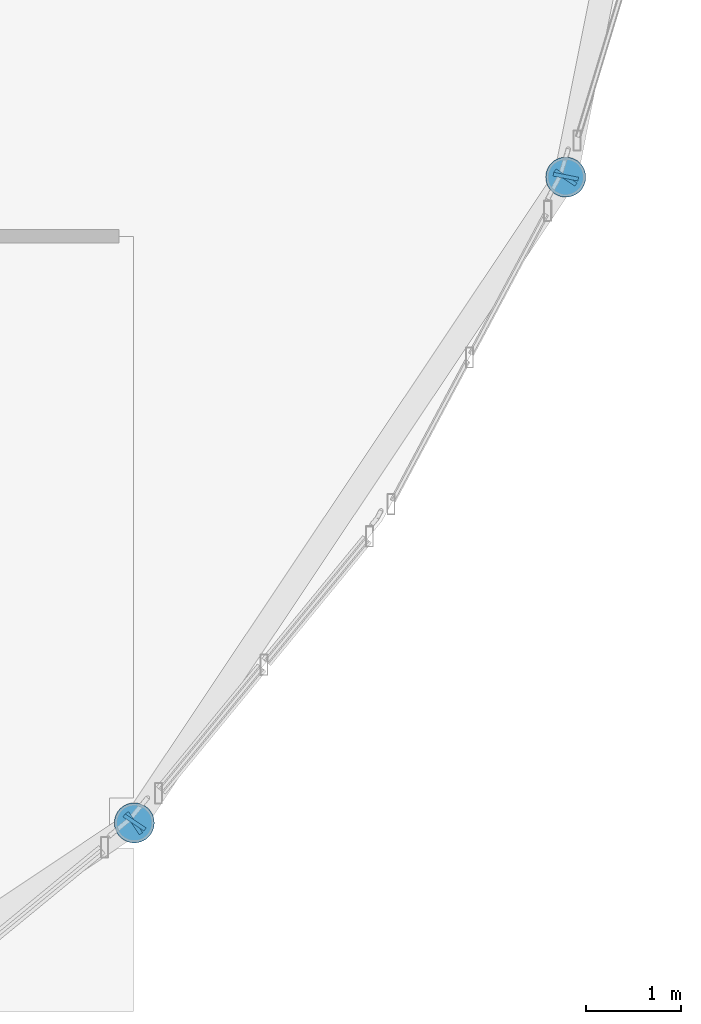
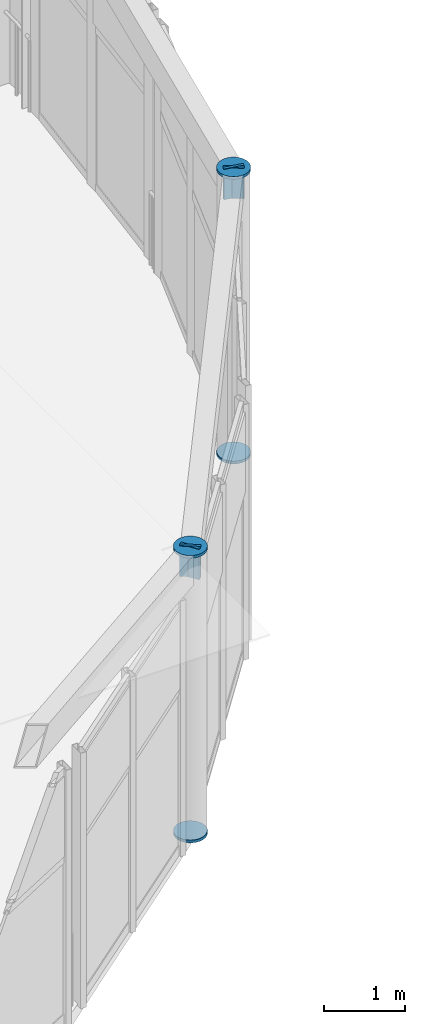
# One storey, part 67 of 105: 8 discrete accessories.
"""IFC4 building model written with IfcOpenShell, lengths in metres."""

from ifc_helpers import new_model, si_unit, direction, frame, origin, origin_2d, place, context, subcontext, project, spatial, rectangle, circle, extrude, material, element, save


model = new_model("IFC4")

# Units and contexts
model_context = context("Model", 3, precision=1e-05, world=origin(), true_north=direction((0.0, 1.0)))
body_context = subcontext(model_context, "Body", "Model", "MODEL_VIEW")
ifc_project = project(units=[si_unit("LENGTHUNIT", "METRE"), si_unit("AREAUNIT", "SQUARE_METRE"), si_unit("VOLUMEUNIT", "CUBIC_METRE"), si_unit("PLANEANGLEUNIT", "RADIAN"), si_unit("MASSUNIT", "GRAM", prefix="KILO")], contexts=[model_context])

# Site, building, storey
site_placement = place(None, origin())
site = spatial("IfcSite", under=ifc_project, at=site_placement, CompositionType="ELEMENT")
building_placement = place(site_placement, origin())
building = spatial("IfcBuilding", under=site, at=building_placement, Name="Marlcrest Central Station", CompositionType="ELEMENT")
storey_placement = place(building_placement, frame((0.0, 0.0, 15.0)))
storey = spatial("IfcBuildingStorey", under=building, at=storey_placement, Name="L03", CompositionType="ELEMENT", Elevation=15.0)

# Discrete accessories
ifc_material = material(Name="Steel S355", Category="steel")
for number, where, z_axis, x_axis, name in (
    (1, (122.84912109375, 7.65087890625, -0.014892578125), (0.0, 0.0, 1.0), (1.0, 0.0, 0.0), "endcap-col-SC-10-L03-0810-s"),
    (2, (122.84912109375, 7.65087890625, 4.28515625), (0.0, 0.0, 1.0), (1.0, 0.0, 0.0), "endcap-col-SC-10-L03-0810-e"),
    (3, (127.40087890625, 14.464111328125, -0.014892578125), (0.0, 0.0, 1.0), (1.0, 0.0, 0.0), "endcap-col-SC-10-L03-0814-s"),
    (4, (127.40087890625, 14.464111328125, 4.28515625), (0.0, 0.0, 1.0), (1.0, 0.0, 0.0), "endcap-col-SC-10-L03-0814-e"),
):
    element("IfcDiscreteAccessory", number, at=place(storey_placement, frame(where, z_axis=z_axis, x_axis=x_axis)), inside=storey, material=ifc_material, Name=name, ObjectType="END_CAP_PLATE", PredefinedType="BRACKET", context=body_context, shape_type="SweptSolid", body=[
        extrude(circle(Radius=0.211181640625, at=origin_2d()), origin(), (0.0, 0.0, 1.0), 0.0400390625),
    ])
for number, where, z_axis, x_axis, name in (
    (5, (122.828369140625, 7.636962890625, 4.10009765625), (0.831508991937, 0.55551129271, 0.0), (-0.55551129271, 0.831508991937, 0.0), "endcap-bm-SP-02-L03-01410-e"),
    (6, (122.8408203125, 7.638427734375, 4.10009765625), (0.55551129271, 0.831508991937, 0.0), (-0.831508991937, 0.55551129271, 0.0), "endcap-bm-SP-02-L03-01411-s"),
    (7, (127.386962890625, 14.443359375, 4.10009765625), (0.55551129271, 0.831508991937, 0.0), (-0.831508991937, 0.55551129271, 0.0), "endcap-bm-SP-02-L03-01411-e"),
    (8, (127.39794921875, 14.449462890625, 4.10009765625), (0.19517056122, 0.980769316421, 0.0), (-0.980769316421, 0.19517056122, 0.0), "endcap-bm-SP-02-L03-01412-s"),
):
    element("IfcDiscreteAccessory", number, at=place(storey_placement, frame(where, z_axis=z_axis, x_axis=x_axis)), inside=storey, material=ifc_material, Name=name, ObjectType="END_CAP_PLATE", PredefinedType="BRACKET", context=body_context, shape_type="SweptSolid", body=[
        extrude(rectangle(XDim=0.26611328125, YDim=0.466064453125, at=origin_2d()), origin(), (0.0, 0.0, 1.0), 0.0400390625),
    ])

save(model, "model.ifc")
